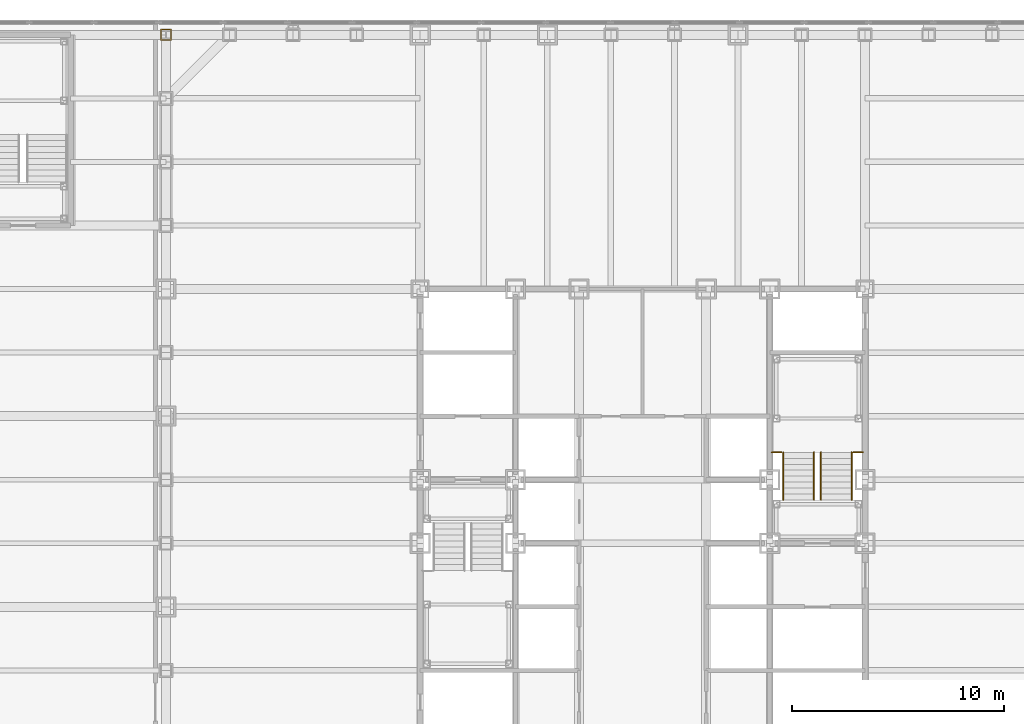
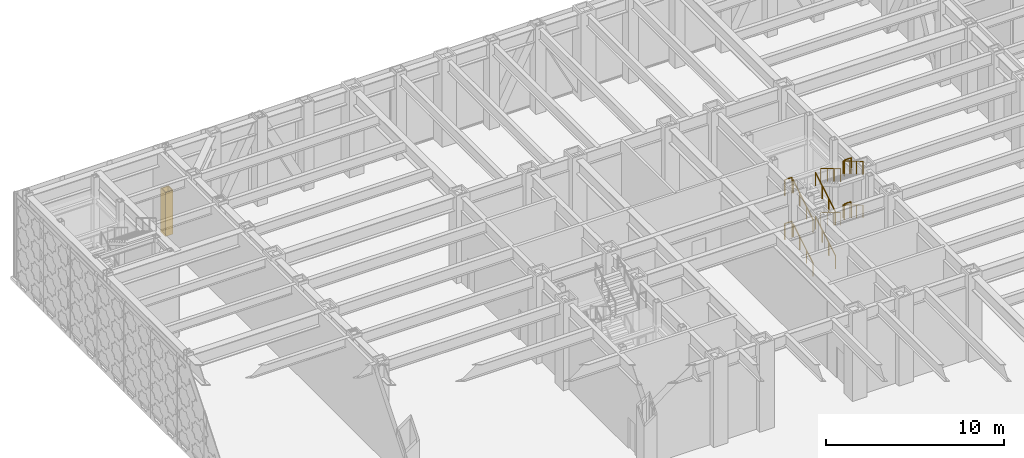
# One storey, part 28 of 32: 12 railings, 1 covering.
"""IFC4 building model written with IfcOpenShell, lengths in metres."""

from ifc_helpers import new_model, si_unit, direction, frame, origin, origin_2d, place, context, subcontext, project, spatial, polyline, circle, outline, extrude, material, layer, layer_set, type_object, element, save


model = new_model("IFC4")

# Units and contexts
model_context = context("Model", 3, precision=1e-05, world=origin(), true_north=direction((0.0, 1.0)))
body_context = subcontext(model_context, "Body", "Model", "MODEL_VIEW")
ifc_project = project(units=[si_unit("LENGTHUNIT", "METRE"), si_unit("AREAUNIT", "SQUARE_METRE"), si_unit("VOLUMEUNIT", "CUBIC_METRE"), si_unit("PLANEANGLEUNIT", "RADIAN"), si_unit("MASSUNIT", "GRAM", prefix="KILO")], contexts=[model_context])

# Site, building, storey
site_placement = place(None, origin())
site = spatial("IfcSite", under=ifc_project, at=site_placement, CompositionType="ELEMENT")
building_placement = place(site_placement, origin())
building = spatial("IfcBuilding", under=site, at=building_placement, Name="Chuquiago Exchange Tower", CompositionType="ELEMENT")
storey_placement = place(building_placement, frame((0.0, 0.0, 13.5)))
storey = spatial("IfcBuildingStorey", under=building, at=storey_placement, Name="L02", CompositionType="ELEMENT", Elevation=13.5)

# Covering
ifc_material_1 = material(Name="Pale metal sheet casing on rails", Category="aluminium")
ifc_layer = layer(ifc_material_1, 0.050048828125)
ifc_layer_set = layer_set([ifc_layer], Name="CS1 column casing 50")
covering_type = type_object("IfcCoveringType", Name="CS1 column casing 50", PredefinedType="CLADDING", material=ifc_layer_set)
covering_placement = place(storey_placement, origin())
element("IfcCovering", 1, at=covering_placement, inside=storey, type_object=covering_type, Name="Column casing L02", PredefinedType="CLADDING", context=body_context, shape_type="SweptSolid", body=[
    extrude(outline(polyline([(-0.255615234375, 44.73291015625), (0.255615234375, 44.73291015625), (0.255615234375, 45.26708984375), (-0.255615234375, 45.26708984375), (-0.255615234375, 44.73291015625)]), holes=[polyline([(-0.205810546875, 44.78271484375), (-0.205810546875, 45.21728515625), (0.205810546875, 45.21728515625), (0.205810546875, 44.78271484375), (-0.205810546875, 44.78271484375)])]), origin(), (0.0, 0.0, 1.0), 3.0),
])

# Railings
ifc_material_2 = material(Name="Pale metal guard with safety glass infill", Category="glass")
railing_type_1 = type_object("IfcRailingType", Name="GR1 guard 1100", PredefinedType="GUARDRAIL", material=ifc_material_2)
for number, where, name in (
    (2, (28.60009765625, 25.2900390625, 1.5), "Guard ST2 L02 landing 2"),
    (3, (32.445068359375, 25.2900390625, 1.5), "Guard ST2 L02 landing 2"),
    (4, (28.60009765625, 25.2900390625, 4.5), "Guard ST2 L02 landing 4"),
    (5, (32.445068359375, 25.2900390625, 4.5), "Guard ST2 L02 landing 4"),
):
    element("IfcRailing", number, at=place(storey_placement, frame(where)), inside=storey, type_object=railing_type_1, Name=name, PredefinedType="GUARDRAIL", context=body_context, shape_type="SweptSolid", body=[
        extrude(circle(Radius=0.02392578125, at=origin_2d()), frame((0.0, 0.0, 1.076171875), z_axis=(1.0, 0.0, 0.0), x_axis=(0.0, 1.0, 0.0)), (0.0, 0.0, 1.0), 0.454833984375),
        extrude(circle(Radius=0.02099609375, at=origin_2d()), origin(), (0.0, 0.0, 1.0), 1.052001953125),
        extrude(circle(Radius=0.02099609375, at=origin_2d()), frame((0.454833984375, 0.0, 0.0)), (0.0, 0.0, 1.0), 1.052001953125),
    ])
ifc_material_3 = material(Name="Pale metal handrail", Category="steel")
railing_type_2 = type_object("IfcRailingType", Name="HR1 handrail 900", PredefinedType="HANDRAIL", material=ifc_material_3)
for number, where, name in (
    (6, (30.5849609375, 23.050048828125, 0.166748046875), "Handrail ST2 L02 flight 1"),
    (7, (29.135009765625, 23.050048828125, 0.166748046875), "Handrail ST2 L02 flight 1"),
):
    element("IfcRailing", number, at=place(storey_placement, frame(where)), inside=storey, type_object=railing_type_2, Name=name, PredefinedType="HANDRAIL", context=body_context, shape_type="SweptSolid", body=[
        extrude(circle(Radius=0.02392578125, at=origin_2d()), frame((0.0, 0.0, 0.8759765625), z_axis=(0.0, 0.859305625298, 0.511462454469), x_axis=(-1.0, 0.0, 0.0)), (0.0, 0.0, 1.0), 2.606689453125),
        extrude(circle(Radius=0.02099609375, at=origin_2d()), origin(), (0.0, 0.0, 1.0), 0.851806640625),
        extrude(circle(Radius=0.02099609375, at=origin_2d()), frame((0.0, 0.74658203125, 0.4443359375)), (0.0, 0.0, 1.0), 0.851806640625),
        extrude(circle(Radius=0.02099609375, at=origin_2d()), frame((0.0, 1.493408203125, 0.888916015625)), (0.0, 0.0, 1.0), 0.851806640625),
        extrude(circle(Radius=0.02099609375, at=origin_2d()), frame((0.0, 2.239990234375, 1.333251953125)), (0.0, 0.0, 1.0), 0.851806640625),
    ])
for number, where, name in (
    (8, (30.9150390625, 25.2900390625, 1.666748046875), "Handrail ST2 L02 flight 2"),
    (9, (32.364990234375, 25.2900390625, 1.666748046875), "Handrail ST2 L02 flight 2"),
):
    element("IfcRailing", number, at=place(storey_placement, frame(where)), inside=storey, type_object=railing_type_2, Name=name, PredefinedType="HANDRAIL", context=body_context, shape_type="SweptSolid", body=[
        extrude(circle(Radius=0.02392578125, at=origin_2d()), frame((0.0, 0.0, 0.8759765625), z_axis=(0.0, -0.859305625298, 0.511462454469), x_axis=(1.0, 0.0, 0.0)), (0.0, 0.0, 1.0), 2.606689453125),
        extrude(circle(Radius=0.02099609375, at=origin_2d()), origin(), (0.0, 0.0, 1.0), 0.851806640625),
        extrude(circle(Radius=0.02099609375, at=origin_2d()), frame((0.0, -0.74658203125, 0.4443359375)), (0.0, 0.0, 1.0), 0.851806640625),
        extrude(circle(Radius=0.02099609375, at=origin_2d()), frame((0.0, -1.493408203125, 0.888916015625)), (0.0, 0.0, 1.0), 0.851806640625),
        extrude(circle(Radius=0.02099609375, at=origin_2d()), frame((0.0, -2.239990234375, 1.333251953125)), (0.0, 0.0, 1.0), 0.851806640625),
    ])
for number, where, name in (
    (10, (30.5849609375, 23.050048828125, 3.166748046875), "Handrail ST2 L02 flight 3"),
    (11, (29.135009765625, 23.050048828125, 3.166748046875), "Handrail ST2 L02 flight 3"),
):
    element("IfcRailing", number, at=place(storey_placement, frame(where)), inside=storey, type_object=railing_type_2, Name=name, PredefinedType="HANDRAIL", context=body_context, shape_type="SweptSolid", body=[
        extrude(circle(Radius=0.02392578125, at=origin_2d()), frame((0.0, 0.0, 0.8759765625), z_axis=(0.0, 0.859305625298, 0.511462454469), x_axis=(-1.0, 0.0, 0.0)), (0.0, 0.0, 1.0), 2.606689453125),
        extrude(circle(Radius=0.02099609375, at=origin_2d()), origin(), (0.0, 0.0, 1.0), 0.851806640625),
        extrude(circle(Radius=0.02099609375, at=origin_2d()), frame((0.0, 0.74658203125, 0.4443359375)), (0.0, 0.0, 1.0), 0.851806640625),
        extrude(circle(Radius=0.02099609375, at=origin_2d()), frame((0.0, 1.493408203125, 0.888916015625)), (0.0, 0.0, 1.0), 0.851806640625),
        extrude(circle(Radius=0.02099609375, at=origin_2d()), frame((0.0, 2.239990234375, 1.333251953125)), (0.0, 0.0, 1.0), 0.851806640625),
    ])
for number, where, name in (
    (12, (30.9150390625, 25.2900390625, 4.666748046875), "Handrail ST2 L02 flight 4"),
    (13, (32.364990234375, 25.2900390625, 4.666748046875), "Handrail ST2 L02 flight 4"),
):
    element("IfcRailing", number, at=place(storey_placement, frame(where)), inside=storey, type_object=railing_type_2, Name=name, PredefinedType="HANDRAIL", context=body_context, shape_type="SweptSolid", body=[
        extrude(circle(Radius=0.02392578125, at=origin_2d()), frame((0.0, 0.0, 0.8759765625), z_axis=(0.0, -0.859305625298, 0.511462454469), x_axis=(1.0, 0.0, 0.0)), (0.0, 0.0, 1.0), 2.606689453125),
        extrude(circle(Radius=0.02099609375, at=origin_2d()), origin(), (0.0, 0.0, 1.0), 0.851806640625),
        extrude(circle(Radius=0.02099609375, at=origin_2d()), frame((0.0, -0.74658203125, 0.4443359375)), (0.0, 0.0, 1.0), 0.851806640625),
        extrude(circle(Radius=0.02099609375, at=origin_2d()), frame((0.0, -1.493408203125, 0.888916015625)), (0.0, 0.0, 1.0), 0.851806640625),
        extrude(circle(Radius=0.02099609375, at=origin_2d()), frame((0.0, -2.239990234375, 1.333251953125)), (0.0, 0.0, 1.0), 0.851806640625),
    ])

save(model, "model.ifc")
